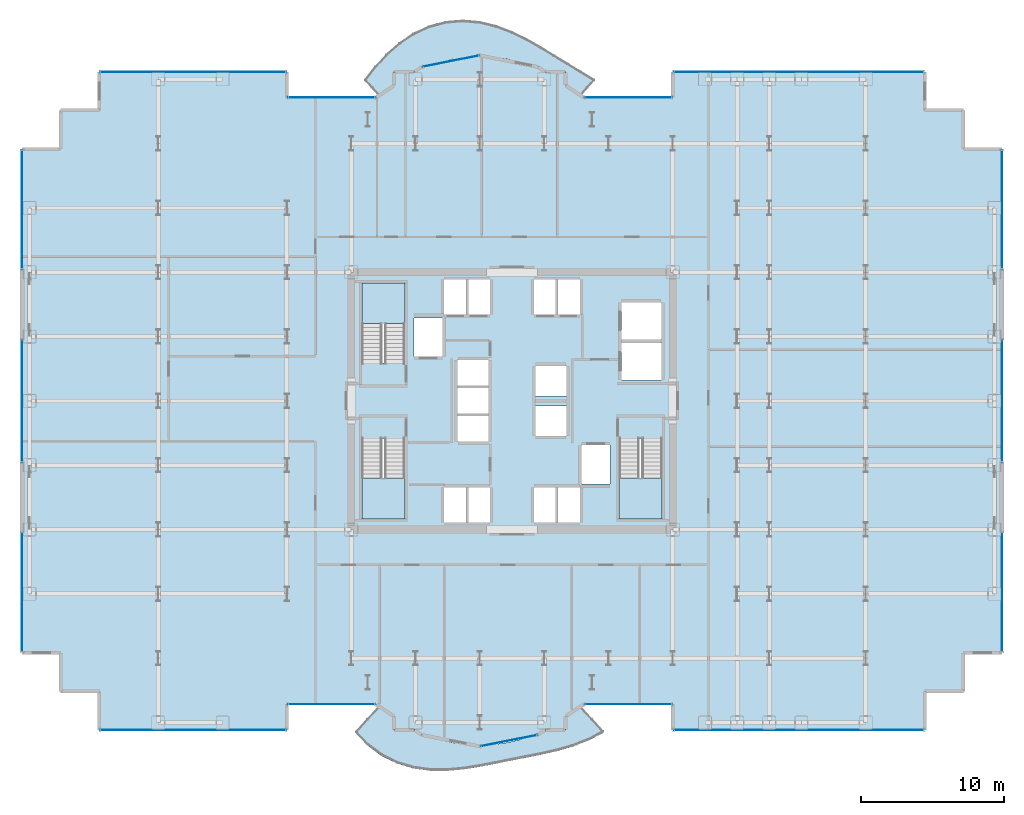
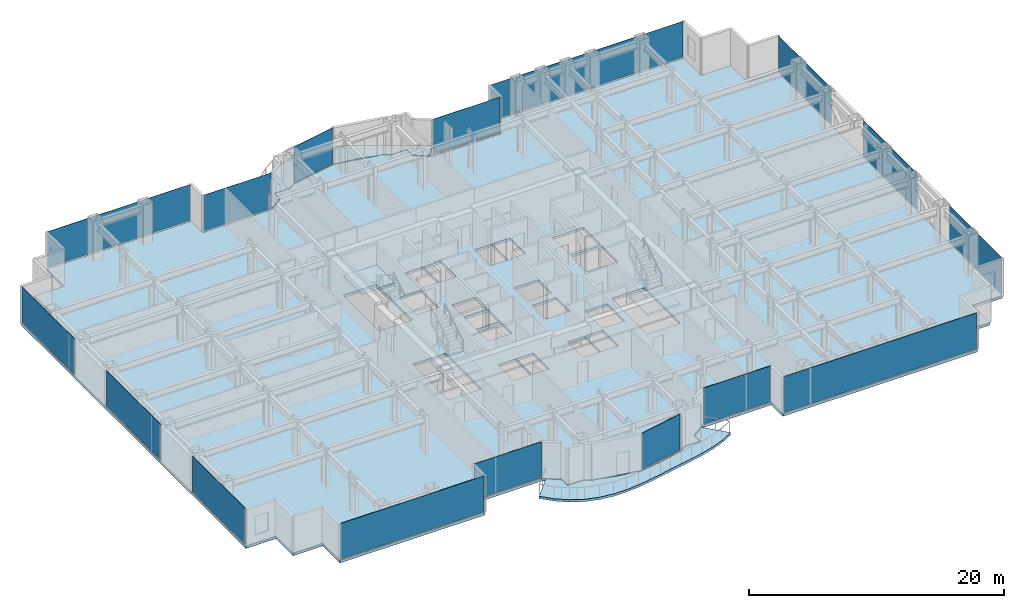
# One storey, part 20 of 28: 16 plates, 6 slabs, 19 elements without a shape of their own.
"""IFC4 building model written with IfcOpenShell, lengths in metres."""

import ifcopenshell
import ifcopenshell.guid

model = None  # the IFC model being written
_history = None  # IfcOwnerHistory: only IFC2X3 demands one
_inside = {}  # id of a spatial element -> (the spatial element, [elements in it])
_under = {}  # id of a project, library or spatial element -> (it, [spatial elements below it])
_declared = {}  # id of a project -> (the project, [libraries it declares])
_typed = {}  # id of a type object -> (the type object, [elements of that type])
_made_of = {}  # id of a material, layer set ... -> (it, [elements and type objects made of it])


def new_model(schema):
    """Start an empty IFC model of exactly this schema.

    Asked for "IFC4X3", IfcOpenShell would pick the latest addendum, in which some entities
    have other attributes; the version numbers below select the first issue.
    IFC2X3 requires an IfcOwnerHistory on every rooted entity: one is made here for all.
    """
    global model, _history
    if schema == "IFC4X3":
        model = ifcopenshell.file(schema_version=(4, 3, 0, 0))
    else:
        model = ifcopenshell.file(schema=schema)
    _inside.clear()
    _under.clear()
    _declared.clear()
    _typed.clear()
    _made_of.clear()
    _history = None
    if model.schema == "IFC2X3":
        org = make("IfcOrganization", Name="unknown")
        user = make(
            "IfcPersonAndOrganization",
            ThePerson=make("IfcPerson", FamilyName="unknown"),
            TheOrganization=org,
        )
        app = make(
            "IfcApplication",
            ApplicationDeveloper=org,
            Version="unknown",
            ApplicationFullName="unknown",
            ApplicationIdentifier="unknown",
        )
        _history = make(
            "IfcOwnerHistory",
            OwningUser=user,
            OwningApplication=app,
            ChangeAction="ADDED",
            CreationDate=0,
        )
    return model


def make(cls, **values):
    """One entity of the class cls with the attributes given. An attribute that is None is left unset."""
    return model.create_entity(
        cls, **{name: value for name, value in values.items() if value is not None}
    )


def rooted(cls, **values):
    """An entity with a GlobalId (a new one), such as an element, a storey or a relation."""
    return make(cls, GlobalId=ifcopenshell.guid.new(), OwnerHistory=_history, **values)


def si_unit(unit_type, name, prefix=None):
    """IfcSIUnit, for example si_unit("LENGTHUNIT", "METRE", prefix="MILLI")."""
    return make("IfcSIUnit", UnitType=unit_type, Prefix=prefix, Name=name)


def assignment(units):
    """IfcUnitAssignment: the units of a project."""
    return None if units is None else make("IfcUnitAssignment", Units=units)


def point(xyz):
    """IfcCartesianPoint."""
    return None if xyz is None else make("IfcCartesianPoint", Coordinates=xyz)


def direction(xyz):
    """IfcDirection."""
    return None if xyz is None else make("IfcDirection", DirectionRatios=xyz)


def frame(location, z_axis=None, x_axis=None):
    """IfcAxis2Placement3D, a coordinate frame: its origin and axes. An axis left out is left unset."""
    return make(
        "IfcAxis2Placement3D",
        Location=point(location),
        Axis=direction(z_axis),
        RefDirection=direction(x_axis),
    )


def frame_2d(location, x_axis=None):
    """IfcAxis2Placement2D, a coordinate frame in the plane: its origin and x axis."""
    return make(
        "IfcAxis2Placement2D", Location=point(location), RefDirection=direction(x_axis)
    )


def origin():
    """The frame at (0, 0, 0) with its axes left unset."""
    return frame((0.0, 0.0, 0.0))


def origin_2d():
    """The frame at (0, 0) in the plane with its x axis left unset."""
    return frame_2d((0.0, 0.0))


def place(relative_to, where):
    """IfcLocalPlacement: puts the frame where relative to a parent placement (None: the world)."""
    return make(
        "IfcLocalPlacement", PlacementRelTo=relative_to, RelativePlacement=where
    )


def context(
    kind, dimensions, precision=None, world=None, true_north=None, identifier=None
):
    """IfcGeometricRepresentationContext, for example the 3D "Model" context."""
    return make(
        "IfcGeometricRepresentationContext",
        ContextIdentifier=identifier,
        ContextType=kind,
        CoordinateSpaceDimension=dimensions,
        Precision=precision,
        WorldCoordinateSystem=world,
        TrueNorth=true_north,
    )


def subcontext(parent, identifier, kind, view, scale=None):
    """IfcGeometricRepresentationSubContext, for example "Body" below "Model"."""
    return make(
        "IfcGeometricRepresentationSubContext",
        ContextIdentifier=identifier,
        ContextType=kind,
        ParentContext=parent,
        TargetScale=scale,
        TargetView=view,
    )


def project(units=None, contexts=None):
    """IfcProject with its units and contexts."""
    return rooted(
        "IfcProject",
        Name="project",
        RepresentationContexts=contexts,
        UnitsInContext=assignment(units),
    )


def spatial(cls, under=None, at=None, **own):
    """A site, building, storey or space (cls), placed at a placement, below another one or the project."""
    s = rooted(cls, ObjectPlacement=at, **own)
    if under is not None:
        _under.setdefault(under.id(), (under, []))[1].append(s)
    return s


def polyline(points):
    """IfcPolyline through the points."""
    return make("IfcPolyline", Points=[point(p) for p in points])


def profile(cls, at=None, kind="AREA", **sizes):
    """A parametric profile (cls). Its sizes go by their IFC names, for example OverallWidth=200.0."""
    return make(cls, ProfileType=kind, Position=at, **sizes)


def rectangle(**sizes):
    """IfcRectangleProfileDef."""
    return profile("IfcRectangleProfileDef", **sizes)


def outline(outer, holes=None, kind="AREA"):
    """IfcArbitraryClosedProfileDef: a profile drawn as a closed curve; with holes, ...WithVoids."""
    if holes is None:
        return make("IfcArbitraryClosedProfileDef", ProfileType=kind, OuterCurve=outer)
    return make(
        "IfcArbitraryProfileDefWithVoids",
        ProfileType=kind,
        OuterCurve=outer,
        InnerCurves=holes,
    )


def extrude(swept, where, along, depth):
    """IfcExtrudedAreaSolid: the profile swept, set in the frame where, extruded along a direction by depth."""
    return make(
        "IfcExtrudedAreaSolid",
        SweptArea=swept,
        Position=where,
        ExtrudedDirection=direction(along),
        Depth=depth,
    )


def shape(context_of_items, identifier, shape_type, items):
    """IfcShapeRepresentation: the items that make up one representation, for example the "Body"."""
    return make(
        "IfcShapeRepresentation",
        ContextOfItems=context_of_items,
        RepresentationIdentifier=identifier,
        RepresentationType=shape_type,
        Items=items,
    )


def source(mapping_origin, context_of_items, identifier, shape_type, items):
    """IfcRepresentationMap: a shape defined once, which mapped items show again and again."""
    return make(
        "IfcRepresentationMap",
        MappingOrigin=mapping_origin,
        MappedRepresentation=shape(context_of_items, identifier, shape_type, items),
    )


def transform(
    local_origin,
    x_axis=None,
    y_axis=None,
    z_axis=None,
    scale=None,
    scale2=None,
    scale3=None,
    uniform=True,
):
    """IfcCartesianTransformationOperator3D, or its non-uniform kind. x_axis, y_axis, z_axis: its Axis1, 2, 3."""
    if uniform:
        return make(
            "IfcCartesianTransformationOperator3D",
            Axis1=direction(x_axis),
            Axis2=direction(y_axis),
            LocalOrigin=point(local_origin),
            Scale=scale,
            Axis3=direction(z_axis),
        )
    return make(
        "IfcCartesianTransformationOperator3DnonUniform",
        Axis1=direction(x_axis),
        Axis2=direction(y_axis),
        LocalOrigin=point(local_origin),
        Scale=scale,
        Axis3=direction(z_axis),
        Scale2=scale2,
        Scale3=scale3,
    )


def mapped(mapping_source, mapping_target):
    """IfcMappedItem: shows the shape of a source again, moved by a transform."""
    return make(
        "IfcMappedItem", MappingSource=mapping_source, MappingTarget=mapping_target
    )


def material(Name=None, Category=None):
    """IfcMaterial."""
    return make("IfcMaterial", Name=Name, Category=Category)


def layer(
    of_material, thickness, ventilated=None, Name=None, Category=None, Priority=None
):
    """IfcMaterialLayer: one layer of a wall or slab, of a material (None: an air gap)."""
    return make(
        "IfcMaterialLayer",
        Material=of_material,
        LayerThickness=thickness,
        IsVentilated=ventilated,
        Name=Name,
        Category=Category,
        Priority=Priority,
    )


def layer_set(layers, Name=None):
    """IfcMaterialLayerSet."""
    return make("IfcMaterialLayerSet", MaterialLayers=layers, LayerSetName=Name)


def made_of(thing, what):
    """Note that an element or type object is made of a material, layer set ...; save() writes the relation."""
    if what is not None:
        _made_of.setdefault(what.id(), (what, []))[1].append(thing)
    return thing


def type_object(cls, material=None, **own):
    """A type object (cls), such as IfcWallType, which elements share."""
    return made_of(rooted(cls, **own), material)


def element(
    cls,
    number,
    at=None,
    inside=None,
    cuts=None,
    type_object=None,
    material=None,
    context=None,
    identifier="Body",
    shape_type=None,
    held_by="IfcProductDefinitionShape",
    body=None,
    shapes=None,
    **own,
):
    """One element of the class cls, such as IfcWall. Its Tag is "e" and its number.

    at: its placement. inside: the storey or other place that contains it. cuts: it is an
    opening in that element (IfcRelVoidsElement). A single representation is given by context,
    identifier, shape_type and body (its items); several are given by shapes. held_by: the class
    of the entity that holds the representations. save() writes the other relations.
    """
    e = rooted(cls, Tag="e%d" % number, ObjectPlacement=at, **own)
    if body is not None:
        shapes = [shape(context, identifier, shape_type, body)]
    if shapes is not None:
        e.Representation = make(held_by, Representations=shapes)
    if inside is not None:
        _inside.setdefault(inside.id(), (inside, []))[1].append(e)
    if cuts is not None:
        rooted(
            "IfcRelVoidsElement", RelatingBuildingElement=cuts, RelatedOpeningElement=e
        )
    if type_object is not None:
        _typed.setdefault(type_object.id(), (type_object, []))[1].append(e)
    return made_of(e, material)


def aggregate(whole, parts):
    """IfcRelAggregates: a whole, such as a stair, and the parts it consists of."""
    return rooted("IfcRelAggregates", RelatingObject=whole, RelatedObjects=parts)


def save(model, path):
    """Write the relations noted so far, then the file.

    IfcRelAggregates (storeys below a building ...), IfcRelContainedInSpatialStructure (elements
    in a storey), IfcRelDefinesByType, IfcRelAssociatesMaterial and IfcRelDeclares: one each for
    every whole, place, type object, material and project.
    """
    for whole, parts in _under.values():
        aggregate(whole, parts)
    for where, things in _inside.values():
        rooted(
            "IfcRelContainedInSpatialStructure",
            RelatedElements=things,
            RelatingStructure=where,
        )
    for kind, things in _typed.values():
        rooted("IfcRelDefinesByType", RelatedObjects=things, RelatingType=kind)
    for what, things in _made_of.values():
        rooted("IfcRelAssociatesMaterial", RelatedObjects=things, RelatingMaterial=what)
    for by, libraries in _declared.values():
        rooted("IfcRelDeclares", RelatingContext=by, RelatedDefinitions=libraries)
    model.write(path)


model = new_model("IFC4")

# Units and contexts
model_context = context("Model", 3, precision=1e-05, world=origin(), true_north=direction((0.0, 1.0)))
body_context = subcontext(model_context, "Body", "Model", "MODEL_VIEW")
ifc_project = project(units=[si_unit("LENGTHUNIT", "METRE"), si_unit("AREAUNIT", "SQUARE_METRE"), si_unit("VOLUMEUNIT", "CUBIC_METRE"), si_unit("PLANEANGLEUNIT", "RADIAN"), si_unit("MASSUNIT", "GRAM", prefix="KILO")], contexts=[model_context])

# Site, building, storey
site_placement = place(None, origin())
site = spatial("IfcSite", under=ifc_project, at=site_placement, CompositionType="ELEMENT")
building_placement = place(site_placement, origin())
building = spatial("IfcBuilding", under=site, at=building_placement, Name="Nefas-Gora Pilgrimage Tower", CompositionType="ELEMENT")
storey_placement = place(building_placement, frame((0.0, 0.0, 102.199951171875)))
storey = spatial("IfcBuildingStorey", under=building, at=storey_placement, Name="L24", CompositionType="ELEMENT", Elevation=102.199951171875)

# Slabs
ifc_material_1 = material(Name="Concrete C40/50", Category="concrete")
ifc_layer_1 = layer(ifc_material_1, 0.22509765625)
ifc_layer_set_1 = layer_set([ifc_layer_1], Name="Concrete C40/50")
slab_type_1 = type_object("IfcSlabType", Name="SLB-BAL-P1", PredefinedType="FLOOR", material=ifc_layer_set_1)
slab_1_placement = place(storey_placement, frame((0.0, 0.0, -0.224853515625)))
element("IfcSlab", 1, at=slab_1_placement, inside=storey, type_object=slab_type_1, Name="L24 Sinusoidal Lobe Balcony Slab S (Phase 1)", PredefinedType="FLOOR", context=body_context, shape_type="SweptSolid", body=[
    extrude(outline(polyline([(4.78759765625, -21.385986328125), (4.724609375, -21.427978515625), (4.038330078125, -21.9912109375), (3.760009765625, -22.179931640625), (3.760009765625, -23.02001953125), (3.760009765625, -23.02099609375), (3.759765625, -23.02197265625), (3.759521484375, -23.02294921875), (3.75927734375, -23.023681640625), (3.7587890625, -23.024658203125), (3.75830078125, -23.025634765625), (3.7578125, -23.0263671875), (3.757080078125, -23.027099609375), (3.75634765625, -23.027587890625), (3.755615234375, -23.0283203125), (3.754638671875, -23.02880859375), (3.75390625, -23.029296875), (3.7529296875, -23.029541015625), (3.751953125, -23.02978515625), (3.7509765625, -23.030029296875), (3.75, -23.030029296875), (2.3271484375, -23.030029296875), (1.81298828125, -23.37353515625), (1.81201171875, -23.3740234375), (1.811279296875, -23.37451171875), (1.810302734375, -23.375), (1.809326171875, -23.375), (1.13037109375, -23.51025390625), (0.602783203125, -23.685302734375), (-0.334716796875, -23.904052734375), (-1.288330078125, -24.035888671875), (-1.580078125, -24.04931640625), (-2.248046875, -24.18212890625), (-2.2490234375, -24.182373046875), (-2.25, -24.182373046875), (-2.2509765625, -24.182373046875), (-2.251953125, -24.18212890625), (-2.919921875, -24.04931640625), (-3.211669921875, -24.035888671875), (-4.165283203125, -23.904052734375), (-5.102783203125, -23.685302734375), (-5.63037109375, -23.51025390625), (-6.309326171875, -23.375), (-6.310302734375, -23.375), (-6.311279296875, -23.37451171875), (-6.31201171875, -23.3740234375), (-6.31298828125, -23.37353515625), (-6.8271484375, -23.030029296875), (-8.25, -23.030029296875), (-8.2509765625, -23.030029296875), (-8.251953125, -23.02978515625), (-8.2529296875, -23.029541015625), (-8.25390625, -23.029296875), (-8.254638671875, -23.02880859375), (-8.255615234375, -23.0283203125), (-8.25634765625, -23.027587890625), (-8.257080078125, -23.027099609375), (-8.2578125, -23.0263671875), (-8.25830078125, -23.025634765625), (-8.2587890625, -23.024658203125), (-8.25927734375, -23.023681640625), (-8.259521484375, -23.02294921875), (-8.259765625, -23.02197265625), (-8.260009765625, -23.02099609375), (-8.260009765625, -23.02001953125), (-8.260009765625, -22.179931640625), (-8.538330078125, -21.9912109375), (-9.224609375, -21.427978515625), (-9.28759765625, -21.385986328125), (-10.9453125, -23.22705078125), (-10.115234375, -24.102783203125), (-9.14697265625, -24.82470703125), (-8.06640625, -25.364501953125), (-6.91064453125, -25.711181640625), (-5.72021484375, -25.87451171875), (-4.531982421875, -25.882080078125), (-3.371337890625, -25.7744140625), (-2.25, -25.595947265625), (-1.164306640625, -25.38671875), (-0.099365234375, -25.17333984375), (0.963623046875, -24.964599609375), (2.04150390625, -24.749755859375), (3.14111328125, -24.502197265625), (4.254638671875, -24.184814453125), (5.35888671875, -23.759521484375), (6.416748046875, -23.1953125), (4.78759765625, -21.385986328125)])), origin(), (0.0, 0.0, 1.0), 0.224853515625),
])
ifc_layer_2 = layer(ifc_material_1, 0.22998046875)
ifc_layer_set_2 = layer_set([ifc_layer_2], Name="Concrete C40/50")
slab_type_2 = type_object("IfcSlabType", Name="SLB-BAL-P5", PredefinedType="FLOOR", material=ifc_layer_set_2)
slab_2_placement = place(storey_placement, frame((0.0, 0.0, -0.22998046875)))
element("IfcSlab", 2, at=slab_2_placement, inside=storey, type_object=slab_type_2, Name="L24 Sinusoidal Lobe Balcony Slab N (Phase 5)", PredefinedType="FLOOR", context=body_context, shape_type="SweptSolid", body=[
    extrude(outline(polyline([(-9.28759765625, 21.385986328125), (-9.224609375, 21.427978515625), (-8.538330078125, 21.9912109375), (-8.260009765625, 22.179931640625), (-8.260009765625, 23.02001953125), (-8.260009765625, 23.02099609375), (-8.259765625, 23.02197265625), (-8.259521484375, 23.02294921875), (-8.25927734375, 23.023681640625), (-8.2587890625, 23.024658203125), (-8.25830078125, 23.025634765625), (-8.2578125, 23.0263671875), (-8.257080078125, 23.027099609375), (-8.25634765625, 23.027587890625), (-8.255615234375, 23.0283203125), (-8.254638671875, 23.02880859375), (-8.25390625, 23.029296875), (-8.2529296875, 23.029541015625), (-8.251953125, 23.02978515625), (-8.2509765625, 23.030029296875), (-8.25, 23.030029296875), (-6.8271484375, 23.030029296875), (-6.31298828125, 23.37353515625), (-6.31201171875, 23.3740234375), (-6.311279296875, 23.37451171875), (-6.310302734375, 23.375), (-6.309326171875, 23.375), (-5.63037109375, 23.51025390625), (-5.102783203125, 23.685302734375), (-4.165283203125, 23.904052734375), (-3.211669921875, 24.035888671875), (-2.919921875, 24.04931640625), (-2.251953125, 24.18212890625), (-2.2509765625, 24.182373046875), (-2.25, 24.182373046875), (-2.2490234375, 24.182373046875), (-2.248046875, 24.18212890625), (-1.580078125, 24.04931640625), (-1.288330078125, 24.035888671875), (-0.334716796875, 23.904052734375), (0.602783203125, 23.685302734375), (1.13037109375, 23.51025390625), (1.809326171875, 23.375), (1.810302734375, 23.375), (1.811279296875, 23.37451171875), (1.81201171875, 23.3740234375), (1.81298828125, 23.37353515625), (2.3271484375, 23.030029296875), (3.75, 23.030029296875), (3.7509765625, 23.030029296875), (3.751953125, 23.02978515625), (3.7529296875, 23.029541015625), (3.75390625, 23.029296875), (3.754638671875, 23.02880859375), (3.755615234375, 23.0283203125), (3.75634765625, 23.027587890625), (3.757080078125, 23.027099609375), (3.7578125, 23.0263671875), (3.75830078125, 23.025634765625), (3.7587890625, 23.024658203125), (3.75927734375, 23.023681640625), (3.759521484375, 23.02294921875), (3.759765625, 23.02197265625), (3.760009765625, 23.02099609375), (3.760009765625, 23.02001953125), (3.760009765625, 22.179931640625), (4.038330078125, 21.9912109375), (4.724609375, 21.427978515625), (4.78759765625, 21.385986328125), (5.782958984375, 22.491455078125), (4.843017578125, 23.068603515625), (3.91552734375, 23.631103515625), (2.99072265625, 24.197265625), (2.048583984375, 24.768310546875), (1.06591796875, 25.326904296875), (0.02392578125, 25.83935546875), (-1.083984375, 26.2607421875), (-2.25, 26.5439453125), (-3.45166015625, 26.6484375), (-4.6552734375, 26.548095703125), (-5.822509765625, 26.23681640625), (-6.917724609375, 25.729736328125), (-7.916015625, 25.059814453125), (-8.807861328125, 24.271240234375), (-9.599365234375, 23.412109375), (-10.3115234375, 22.523193359375), (-9.28759765625, 21.385986328125)])), origin(), (0.0, 0.0, 1.0), 0.22998046875),
])
ifc_layer_3 = layer(ifc_material_1, 0.25)
ifc_layer_set_3 = layer_set([ifc_layer_3], Name="Concrete C40/50")
slab_type_3 = type_object("IfcSlabType", Name="SLB-TWR-250", PredefinedType="FLOOR", material=ifc_layer_set_3)
slab_3_placement = place(storey_placement, frame((0.0, 0.0, -0.25)))
element("IfcSlab", 3, at=slab_3_placement, inside=storey, type_object=slab_type_3, Name="L24 Structural Floor Slab", PredefinedType="FLOOR", context=body_context, shape_type="SweptSolid", body=[
    extrude(outline(polyline([(5.01806640625, -21.219970703125), (11.25, -21.219970703125), (11.25, -23.02001953125), (28.8701171875, -23.02001953125), (28.8701171875, -20.320068359375), (31.570068359375, -20.320068359375), (31.570068359375, -17.6201171875), (34.27001953125, -17.6201171875), (34.27001953125, 17.6201171875), (31.570068359375, 17.6201171875), (31.570068359375, 20.320068359375), (28.8701171875, 20.320068359375), (28.8701171875, 23.02001953125), (11.25, 23.02001953125), (11.25, 21.219970703125), (5.01806640625, 21.219970703125), (3.75, 22.0673828125), (3.75, 23.02001953125), (2.32421875, 23.02001953125), (1.807373046875, 23.365234375), (-2.25, 24.17236328125), (-6.307373046875, 23.365234375), (-6.82421875, 23.02001953125), (-8.25, 23.02001953125), (-8.25, 22.0673828125), (-9.51806640625, 21.219970703125), (-15.75, 21.219970703125), (-15.75, 23.02001953125), (-28.8701171875, 23.02001953125), (-28.8701171875, 20.320068359375), (-31.570068359375, 20.320068359375), (-31.570068359375, 17.6201171875), (-34.27001953125, 17.6201171875), (-34.27001953125, -17.6201171875), (-31.570068359375, -17.6201171875), (-31.570068359375, -20.320068359375), (-28.8701171875, -20.320068359375), (-28.8701171875, -23.02001953125), (-15.75, -23.02001953125), (-15.75, -21.219970703125), (-9.51806640625, -21.219970703125), (-8.25, -22.0673828125), (-8.25, -23.02001953125), (-6.82421875, -23.02001953125), (-6.307373046875, -23.365234375), (-2.25, -24.17236328125), (1.807373046875, -23.365234375), (2.32421875, -23.02001953125), (3.75, -23.02001953125), (3.75, -22.0673828125), (5.01806640625, -21.219970703125)]), holes=[polyline([(-10.5, 2.639892578125), (-10.5, 8.25), (-7.5, 8.25), (-7.5, 2.639892578125), (-10.5, 2.639892578125)]), polyline([(10.5, -2.639892578125), (10.5, -8.25), (7.5, -8.25), (7.5, -2.639892578125), (10.5, -2.639892578125)]), polyline([(-7.5, -2.639892578125), (-7.5, -8.25), (-10.5, -8.25), (-10.5, -2.639892578125), (-7.5, -2.639892578125)]), polyline([(-6.85009765625, 5.800048828125), (-4.85009765625, 5.800048828125), (-4.85009765625, 3.10009765625), (-6.85009765625, 3.10009765625), (-6.85009765625, 5.800048828125)]), polyline([(4.85009765625, -3.10009765625), (6.85009765625, -3.10009765625), (6.85009765625, -5.800048828125), (4.85009765625, -5.800048828125), (4.85009765625, -3.10009765625)]), polyline([(7.64990234375, 4.050048828125), (10.449951171875, 4.050048828125), (10.449951171875, 1.449951171875), (7.64990234375, 1.449951171875), (7.64990234375, 4.050048828125)]), polyline([(7.64990234375, 6.89990234375), (10.449951171875, 6.89990234375), (10.449951171875, 4.300048828125), (7.64990234375, 4.300048828125), (7.64990234375, 6.89990234375)]), polyline([(-4.75, 8.5), (-3.14990234375, 8.5), (-3.14990234375, 6.050048828125), (-4.75, 6.050048828125), (-4.75, 8.5)]), polyline([(-3.10009765625, 8.5), (-1.550048828125, 8.5), (-1.550048828125, 6.050048828125), (-3.10009765625, 6.050048828125), (-3.10009765625, 8.5)]), polyline([(1.550048828125, 8.5), (3.10009765625, 8.5), (3.10009765625, 6.050048828125), (1.550048828125, 6.050048828125), (1.550048828125, 8.5)]), polyline([(3.14990234375, 8.5), (4.75, 8.5), (4.75, 6.050048828125), (3.14990234375, 6.050048828125), (3.14990234375, 8.5)]), polyline([(-4.75, -6.050048828125), (-3.14990234375, -6.050048828125), (-3.14990234375, -8.5), (-4.75, -8.5), (-4.75, -6.050048828125)]), polyline([(-3.10009765625, -6.050048828125), (-1.550048828125, -6.050048828125), (-1.550048828125, -8.5), (-3.10009765625, -8.5), (-3.10009765625, -6.050048828125)]), polyline([(1.550048828125, -6.050048828125), (3.10009765625, -6.050048828125), (3.10009765625, -8.5), (1.550048828125, -8.5), (1.550048828125, -6.050048828125)]), polyline([(3.14990234375, -6.050048828125), (4.75, -6.050048828125), (4.75, -8.5), (3.14990234375, -8.5), (3.14990234375, -6.050048828125)]), polyline([(-3.800048828125, -1.050048828125), (-1.64990234375, -1.050048828125), (-1.64990234375, -2.85009765625), (-3.800048828125, -2.85009765625), (-3.800048828125, -1.050048828125)]), polyline([(-3.800048828125, 0.89990234375), (-1.64990234375, 0.89990234375), (-1.64990234375, -0.89990234375), (-3.800048828125, -0.89990234375), (-3.800048828125, 0.89990234375)]), polyline([(-3.800048828125, 2.85009765625), (-1.64990234375, 2.85009765625), (-1.64990234375, 1.050048828125), (-3.800048828125, 1.050048828125), (-3.800048828125, 2.85009765625)]), polyline([(1.64990234375, -0.35009765625), (3.800048828125, -0.35009765625), (3.800048828125, -2.449951171875), (1.64990234375, -2.449951171875), (1.64990234375, -0.35009765625)]), polyline([(1.64990234375, 2.449951171875), (3.800048828125, 2.449951171875), (3.800048828125, 0.35009765625), (1.64990234375, 0.35009765625), (1.64990234375, 2.449951171875)])]), origin(), (0.0, 0.0, 1.0), 0.25),
])

# Stair, slab
ifc_material_2 = material(Name="Concrete C45/55", Category="concrete")
stair_type = type_object("IfcStairType", Name="STR-1400-R1727", PredefinedType="HALF_TURN_STAIR", material=ifc_material_2)
stair_1_placement = place(storey_placement, origin())
stair_1 = element("IfcStair", 4, at=stair_1_placement, inside=storey, type_object=stair_type, Name="L24 Pressurised Tower Exit Stair ST-01", PredefinedType="HALF_TURN_STAIR")
ifc_layer_4 = layer(ifc_material_1, 0.199951171875)
ifc_layer_set_4 = layer_set([ifc_layer_4], Name="Concrete C40/50")
slab_type_4 = type_object("IfcSlabType", Name="STR-LAND-200", PredefinedType="LANDING", material=ifc_layer_set_4)
slab_4_placement = place(storey_placement, frame((0.0, 0.0, 1.699951171875)))
slab_4 = element("IfcSlab", 5, at=slab_4_placement, type_object=slab_type_4, Name="ST-01 landing 1", PredefinedType="LANDING", context=body_context, shape_type="SweptSolid", body=[
    extrude(outline(polyline([(-7.5, 5.39990234375), (-7.5, 8.25), (-10.5, 8.25), (-10.5, 5.39990234375), (-7.5, 5.39990234375)])), origin(), (0.0, 0.0, 1.0), 0.2001953125),
])
aggregate(stair_1, [slab_4])

stair_2_placement = place(storey_placement, origin())
stair_2 = element("IfcStair", 6, at=stair_2_placement, inside=storey, type_object=stair_type, Name="L24 Pressurised Tower Exit Stair ST-02", PredefinedType="HALF_TURN_STAIR")
slab_5_placement = place(storey_placement, frame((0.0, 0.0, 1.699951171875)))
slab_5 = element("IfcSlab", 7, at=slab_5_placement, type_object=slab_type_4, Name="ST-02 landing 1", PredefinedType="LANDING", context=body_context, shape_type="SweptSolid", body=[
    extrude(outline(polyline([(7.5, -5.39990234375), (7.5, -8.25), (10.5, -8.25), (10.5, -5.39990234375), (7.5, -5.39990234375)])), origin(), (0.0, 0.0, 1.0), 0.2001953125),
])
aggregate(stair_2, [slab_5])

stair_3_placement = place(storey_placement, origin())
stair_3 = element("IfcStair", 8, at=stair_3_placement, inside=storey, type_object=stair_type, Name="L24 Pressurised Tower Exit Stair ST-03", PredefinedType="HALF_TURN_STAIR")
slab_6_placement = place(storey_placement, frame((0.0, 0.0, 1.699951171875)))
slab_6 = element("IfcSlab", 9, at=slab_6_placement, type_object=slab_type_4, Name="ST-03 landing 1", PredefinedType="LANDING", context=body_context, shape_type="SweptSolid", body=[
    extrude(outline(polyline([(-10.5, -5.39990234375), (-10.5, -8.25), (-7.5, -8.25), (-7.5, -5.39990234375), (-10.5, -5.39990234375)])), origin(), (0.0, 0.0, 1.0), 0.2001953125),
])
aggregate(stair_3, [slab_6])

# Curtain wall, plate
ifc_material_3 = material(Name="Dark ceramic-fritted solar-control aluminium-glass curtain wall", Category="aluminium")
ifc_layer_5 = layer(ifc_material_3, 0.219970703125)
ifc_layer_set_5 = layer_set([ifc_layer_5], Name="Dark ceramic-fritted solar-control aluminium-glass curtain wall")
curtain_wall_type_1 = type_object("IfcCurtainWallType", Name="CW-SYS-5", PredefinedType="NOTDEFINED", material=ifc_layer_set_5)
curtain_wall_1_placement = place(storey_placement, origin())
curtain_wall_1 = element("IfcCurtainWall", 10, at=curtain_wall_1_placement, inside=storey, type_object=curtain_wall_type_1, Name="L24 Unitised Curtain Wall CW5", PredefinedType="NOTDEFINED")
ifc_material_4 = material(Name="Dark ceramic-printed low-e insulated glass", Category="glass")
ifc_layer_6 = layer(ifc_material_4, 0.028076171875)
ifc_layer_set_6 = layer_set([ifc_layer_6], Name="Dark ceramic-printed low-e insulated glass")
plate_type_1 = type_object("IfcPlateType", Name="CWP-PNL-5", PredefinedType="CURTAIN_PANEL", material=ifc_layer_set_6)
shared_shape_1 = source(origin(), body_context, "Body", "SweptSolid", [
    extrude(rectangle(XDim=6.052001953125, YDim=0.028076171875, at=origin_2d()), origin(), (0.0, 0.0, 1.0), 3.43994140625),
])
plate_1_placement = place(storey_placement, frame((8.134033203125, -21.219970703125, 0.10009765625), z_axis=(0.0, 0.0, 1.0), x_axis=(1.0, 0.0, 0.0)))
plate_1 = element("IfcPlate", 11, at=plate_1_placement, type_object=plate_type_1, Name="CW5 Ceramic-Fritted Glazing Panel 1", PredefinedType="CURTAIN_PANEL", context=body_context, shape_type="MappedRepresentation", body=[
    mapped(shared_shape_1, transform((0.0, 0.0, 0.0), x_axis=(1.0, 0.0, 0.0), y_axis=(0.0, 1.0, 0.0), z_axis=(0.0, 0.0, 1.0), scale=1.0)),
])
aggregate(curtain_wall_1, [plate_1])

curtain_wall_2_placement = place(storey_placement, origin())
curtain_wall_2 = element("IfcCurtainWall", 12, at=curtain_wall_2_placement, inside=storey, type_object=curtain_wall_type_1, Name="L24 Unitised Curtain Wall CW5", PredefinedType="NOTDEFINED")
plate_2_placement = place(storey_placement, frame((8.134033203125, 21.219970703125, 0.10009765625), z_axis=(0.0, 0.0, 1.0), x_axis=(-1.0, 0.0, 0.0)))
plate_2 = element("IfcPlate", 13, at=plate_2_placement, type_object=plate_type_1, Name="CW5 Ceramic-Fritted Glazing Panel 1", PredefinedType="CURTAIN_PANEL", context=body_context, shape_type="MappedRepresentation", body=[
    mapped(shared_shape_1, transform((0.0, 0.0, 0.0), x_axis=(1.0, 0.0, 0.0), y_axis=(0.0, 1.0, 0.0), z_axis=(0.0, 0.0, 1.0), scale=1.0)),
])
aggregate(curtain_wall_2, [plate_2])

curtain_wall_3_placement = place(storey_placement, origin())
curtain_wall_3 = element("IfcCurtainWall", 14, at=curtain_wall_3_placement, inside=storey, type_object=curtain_wall_type_1, Name="L24 Unitised Curtain Wall CW5", PredefinedType="NOTDEFINED")
plate_3_placement = place(storey_placement, frame((-12.634033203125, 21.219970703125, 0.10009765625), z_axis=(0.0, 0.0, 1.0), x_axis=(-1.0, 0.0, 0.0)))
plate_3 = element("IfcPlate", 15, at=plate_3_placement, type_object=plate_type_1, Name="CW5 Ceramic-Fritted Glazing Panel 1", PredefinedType="CURTAIN_PANEL", context=body_context, shape_type="MappedRepresentation", body=[
    mapped(shared_shape_1, transform((0.0, 0.0, 0.0), x_axis=(1.0, 0.0, 0.0), y_axis=(0.0, 1.0, 0.0), z_axis=(0.0, 0.0, 1.0), scale=1.0)),
])
aggregate(curtain_wall_3, [plate_3])

curtain_wall_4_placement = place(storey_placement, origin())
curtain_wall_4 = element("IfcCurtainWall", 16, at=curtain_wall_4_placement, inside=storey, type_object=curtain_wall_type_1, Name="L24 Unitised Curtain Wall CW5", PredefinedType="NOTDEFINED")
plate_4_placement = place(storey_placement, frame((-12.634033203125, -21.219970703125, 0.10009765625), z_axis=(0.0, 0.0, 1.0), x_axis=(1.0, 0.0, 0.0)))
plate_4 = element("IfcPlate", 17, at=plate_4_placement, type_object=plate_type_1, Name="CW5 Ceramic-Fritted Glazing Panel 1", PredefinedType="CURTAIN_PANEL", context=body_context, shape_type="MappedRepresentation", body=[
    mapped(shared_shape_1, transform((0.0, 0.0, 0.0), x_axis=(1.0, 0.0, 0.0), y_axis=(0.0, 1.0, 0.0), z_axis=(0.0, 0.0, 1.0), scale=1.0)),
])
aggregate(curtain_wall_4, [plate_4])

ifc_layer_7 = layer(ifc_material_3, 0.219970703125)
ifc_layer_set_7 = layer_set([ifc_layer_7], Name="Dark ceramic-fritted solar-control aluminium-glass curtain wall")
curtain_wall_type_2 = type_object("IfcCurtainWallType", Name="CW-SYS-2", PredefinedType="NOTDEFINED", material=ifc_layer_set_7)
curtain_wall_5_placement = place(storey_placement, origin())
curtain_wall_5 = element("IfcCurtainWall", 18, at=curtain_wall_5_placement, inside=storey, type_object=curtain_wall_type_2, Name="L24 Unitised Curtain Wall CW2", PredefinedType="NOTDEFINED")
ifc_layer_8 = layer(ifc_material_4, 0.031982421875)
ifc_layer_set_8 = layer_set([ifc_layer_8], Name="Dark ceramic-printed low-e insulated glass")
plate_type_2 = type_object("IfcPlateType", Name="CWP-PNL-2", PredefinedType="CURTAIN_PANEL", material=ifc_layer_set_8)
shared_shape_2 = source(origin(), body_context, "Body", "SweptSolid", [
    extrude(rectangle(XDim=17.43994140625, YDim=0.031982421875, at=origin_2d()), origin(), (0.0, 0.0, 1.0), 3.43994140625),
])
plate_5_placement = place(storey_placement, frame((20.06005859375, -23.02001953125, 0.10009765625), z_axis=(0.0, 0.0, 1.0), x_axis=(1.0, 0.0, 0.0)))
plate_5 = element("IfcPlate", 19, at=plate_5_placement, type_object=plate_type_2, Name="CW2 Ceramic-Fritted Glazing Panel 1", PredefinedType="CURTAIN_PANEL", context=body_context, shape_type="MappedRepresentation", body=[
    mapped(shared_shape_2, transform((0.0, 0.0, 0.0), x_axis=(1.0, 0.0, 0.0), y_axis=(0.0, 1.0, 0.0), z_axis=(0.0, 0.0, 1.0), scale=1.0)),
])
aggregate(curtain_wall_5, [plate_5])

curtain_wall_6_placement = place(storey_placement, origin())
curtain_wall_6 = element("IfcCurtainWall", 20, at=curtain_wall_6_placement, inside=storey, type_object=curtain_wall_type_2, Name="L24 Unitised Curtain Wall CW2", PredefinedType="NOTDEFINED")
plate_6_placement = place(storey_placement, frame((20.06005859375, 23.02001953125, 0.10009765625), z_axis=(0.0, 0.0, 1.0), x_axis=(-1.0, 0.0, 0.0)))
plate_6 = element("IfcPlate", 21, at=plate_6_placement, type_object=plate_type_2, Name="CW2 Ceramic-Fritted Glazing Panel 1", PredefinedType="CURTAIN_PANEL", context=body_context, shape_type="MappedRepresentation", body=[
    mapped(shared_shape_2, transform((0.0, 0.0, 0.0), x_axis=(1.0, 0.0, 0.0), y_axis=(0.0, 1.0, 0.0), z_axis=(0.0, 0.0, 1.0), scale=1.0)),
])
aggregate(curtain_wall_6, [plate_6])

curtain_wall_7_placement = place(storey_placement, origin())
curtain_wall_7 = element("IfcCurtainWall", 22, at=curtain_wall_7_placement, inside=storey, type_object=curtain_wall_type_2, Name="L24 Unitised Curtain Wall CW2", PredefinedType="NOTDEFINED")
shared_shape_3 = source(origin(), body_context, "Body", "SweptSolid", [
    extrude(rectangle(XDim=8.2900390625, YDim=0.031982421875, at=origin_2d()), origin(), (0.0, 0.0, 1.0), 3.43994140625),
])
plate_7_placement = place(storey_placement, frame((34.27001953125, -13.385009765625, 0.10009765625), z_axis=(0.0, 0.0, 1.0), x_axis=(0.0, 1.0, 0.0)))
plate_7 = element("IfcPlate", 23, at=plate_7_placement, type_object=plate_type_2, Name="CW2 Ceramic-Fritted Glazing Panel 1", PredefinedType="CURTAIN_PANEL", context=body_context, shape_type="MappedRepresentation", body=[
    mapped(shared_shape_3, transform((0.0, 0.0, 0.0), x_axis=(1.0, 0.0, 0.0), y_axis=(0.0, 1.0, 0.0), z_axis=(0.0, 0.0, 1.0), scale=1.0)),
])
aggregate(curtain_wall_7, [plate_7])

curtain_wall_8_placement = place(storey_placement, origin())
curtain_wall_8 = element("IfcCurtainWall", 24, at=curtain_wall_8_placement, inside=storey, type_object=curtain_wall_type_2, Name="L24 Unitised Curtain Wall CW2", PredefinedType="NOTDEFINED")
plate_8_placement = place(storey_placement, frame((34.27001953125, 13.385009765625, 0.10009765625), z_axis=(0.0, 0.0, 1.0), x_axis=(0.0, 1.0, 0.0)))
plate_8 = element("IfcPlate", 25, at=plate_8_placement, type_object=plate_type_2, Name="CW2 Ceramic-Fritted Glazing Panel 1", PredefinedType="CURTAIN_PANEL", context=body_context, shape_type="MappedRepresentation", body=[
    mapped(shared_shape_3, transform((0.0, 0.0, 0.0), x_axis=(1.0, 0.0, 0.0), y_axis=(0.0, 1.0, 0.0), z_axis=(0.0, 0.0, 1.0), scale=1.0)),
])
aggregate(curtain_wall_8, [plate_8])

curtain_wall_9_placement = place(storey_placement, origin())
curtain_wall_9 = element("IfcCurtainWall", 26, at=curtain_wall_9_placement, inside=storey, type_object=curtain_wall_type_2, Name="L24 Unitised Curtain Wall CW2", PredefinedType="NOTDEFINED")
plate_9_placement = place(storey_placement, frame((-34.27001953125, 13.385009765625, 0.10009765625), z_axis=(0.0, 0.0, 1.0), x_axis=(0.0, -1.0, 0.0)))
plate_9 = element("IfcPlate", 27, at=plate_9_placement, type_object=plate_type_2, Name="CW2 Ceramic-Fritted Glazing Panel 1", PredefinedType="CURTAIN_PANEL", context=body_context, shape_type="MappedRepresentation", body=[
    mapped(shared_shape_3, transform((0.0, 0.0, 0.0), x_axis=(1.0, 0.0, 0.0), y_axis=(0.0, 1.0, 0.0), z_axis=(0.0, 0.0, 1.0), scale=1.0)),
])
aggregate(curtain_wall_9, [plate_9])

curtain_wall_10_placement = place(storey_placement, origin())
curtain_wall_10 = element("IfcCurtainWall", 28, at=curtain_wall_10_placement, inside=storey, type_object=curtain_wall_type_2, Name="L24 Unitised Curtain Wall CW2", PredefinedType="NOTDEFINED")
plate_10_placement = place(storey_placement, frame((-34.27001953125, -13.385009765625, 0.10009765625), z_axis=(0.0, 0.0, 1.0), x_axis=(0.0, -1.0, 0.0)))
plate_10 = element("IfcPlate", 29, at=plate_10_placement, type_object=plate_type_2, Name="CW2 Ceramic-Fritted Glazing Panel 1", PredefinedType="CURTAIN_PANEL", context=body_context, shape_type="MappedRepresentation", body=[
    mapped(shared_shape_3, transform((0.0, 0.0, 0.0), x_axis=(1.0, 0.0, 0.0), y_axis=(0.0, 1.0, 0.0), z_axis=(0.0, 0.0, 1.0), scale=1.0)),
])
aggregate(curtain_wall_10, [plate_10])

curtain_wall_11_placement = place(storey_placement, origin())
curtain_wall_11 = element("IfcCurtainWall", 30, at=curtain_wall_11_placement, inside=storey, type_object=curtain_wall_type_2, Name="L24 Unitised Curtain Wall CW2", PredefinedType="NOTDEFINED")
shared_shape_4 = source(origin(), body_context, "Body", "SweptSolid", [
    extrude(rectangle(XDim=8.52001953125, YDim=0.031982421875, at=origin_2d()), origin(), (0.0, 0.0, 1.0), 3.43994140625),
])
plate_11_placement = place(storey_placement, frame((34.27001953125, 0.0, 0.10009765625), z_axis=(0.0, 0.0, 1.0), x_axis=(0.0, 1.0, 0.0)))
plate_11 = element("IfcPlate", 31, at=plate_11_placement, type_object=plate_type_2, Name="CW2 Ceramic-Fritted Glazing Panel 1", PredefinedType="CURTAIN_PANEL", context=body_context, shape_type="MappedRepresentation", body=[
    mapped(shared_shape_4, transform((0.0, 0.0, 0.0), x_axis=(1.0, 0.0, 0.0), y_axis=(0.0, 1.0, 0.0), z_axis=(0.0, 0.0, 1.0), scale=1.0)),
])
aggregate(curtain_wall_11, [plate_11])

curtain_wall_12_placement = place(storey_placement, origin())
curtain_wall_12 = element("IfcCurtainWall", 32, at=curtain_wall_12_placement, inside=storey, type_object=curtain_wall_type_2, Name="L24 Unitised Curtain Wall CW2", PredefinedType="NOTDEFINED")
plate_12_placement = place(storey_placement, frame((-34.27001953125, 0.0, 0.10009765625), z_axis=(0.0, 0.0, 1.0), x_axis=(0.0, -1.0, 0.0)))
plate_12 = element("IfcPlate", 33, at=plate_12_placement, type_object=plate_type_2, Name="CW2 Ceramic-Fritted Glazing Panel 1", PredefinedType="CURTAIN_PANEL", context=body_context, shape_type="MappedRepresentation", body=[
    mapped(shared_shape_4, transform((0.0, 0.0, 0.0), x_axis=(1.0, 0.0, 0.0), y_axis=(0.0, 1.0, 0.0), z_axis=(0.0, 0.0, 1.0), scale=1.0)),
])
aggregate(curtain_wall_12, [plate_12])

curtain_wall_13_placement = place(storey_placement, origin())
curtain_wall_13 = element("IfcCurtainWall", 34, at=curtain_wall_13_placement, inside=storey, type_object=curtain_wall_type_1, Name="L24 Unitised Curtain Wall CW5", PredefinedType="NOTDEFINED")
shared_shape_5 = source(origin(), body_context, "Body", "SweptSolid", [
    extrude(rectangle(XDim=3.956787109375, YDim=0.028076171875, at=origin_2d()), origin(), (0.0, 0.0, 1.0), 3.43994140625),
])
plate_13_placement = place(storey_placement, frame((-4.278564453125, 23.768798828125, 0.10009765625), z_axis=(0.0, 0.0, 1.0), x_axis=(-0.980782896852, -0.195102304554, 0.0)))
plate_13 = element("IfcPlate", 35, at=plate_13_placement, type_object=plate_type_1, Name="CW5 Ceramic-Fritted Glazing Panel 1", PredefinedType="CURTAIN_PANEL", context=body_context, shape_type="MappedRepresentation", body=[
    mapped(shared_shape_5, transform((0.0, 0.0, 0.0), x_axis=(1.0, 0.0, 0.0), y_axis=(0.0, 1.0, 0.0), z_axis=(0.0, 0.0, 1.0), scale=1.0)),
])
aggregate(curtain_wall_13, [plate_13])

curtain_wall_14_placement = place(storey_placement, origin())
curtain_wall_14 = element("IfcCurtainWall", 36, at=curtain_wall_14_placement, inside=storey, type_object=curtain_wall_type_1, Name="L24 Unitised Curtain Wall CW5", PredefinedType="NOTDEFINED")
plate_14_placement = place(storey_placement, frame((-0.221435546875, -23.768798828125, 0.10009765625), z_axis=(0.0, 0.0, 1.0), x_axis=(0.980782896852, 0.195102304554, 0.0)))
plate_14 = element("IfcPlate", 37, at=plate_14_placement, type_object=plate_type_1, Name="CW5 Ceramic-Fritted Glazing Panel 1", PredefinedType="CURTAIN_PANEL", context=body_context, shape_type="MappedRepresentation", body=[
    mapped(shared_shape_5, transform((0.0, 0.0, 0.0), x_axis=(1.0, 0.0, 0.0), y_axis=(0.0, 1.0, 0.0), z_axis=(0.0, 0.0, 1.0), scale=1.0)),
])
aggregate(curtain_wall_14, [plate_14])

curtain_wall_15_placement = place(storey_placement, origin())
curtain_wall_15 = element("IfcCurtainWall", 38, at=curtain_wall_15_placement, inside=storey, type_object=curtain_wall_type_2, Name="L24 Unitised Curtain Wall CW2", PredefinedType="NOTDEFINED")
shared_shape_6 = source(origin(), body_context, "Body", "SweptSolid", [
    extrude(rectangle(XDim=12.93994140625, YDim=0.031982421875, at=origin_2d()), origin(), (0.0, 0.0, 1.0), 3.43994140625),
])
plate_15_placement = place(storey_placement, frame((-22.31005859375, 23.02001953125, 0.10009765625), z_axis=(0.0, 0.0, 1.0), x_axis=(-1.0, 0.0, 0.0)))
plate_15 = element("IfcPlate", 39, at=plate_15_placement, type_object=plate_type_2, Name="CW2 Ceramic-Fritted Glazing Panel 1", PredefinedType="CURTAIN_PANEL", context=body_context, shape_type="MappedRepresentation", body=[
    mapped(shared_shape_6, transform((0.0, 0.0, 0.0), x_axis=(1.0, 0.0, 0.0), y_axis=(0.0, 1.0, 0.0), z_axis=(0.0, 0.0, 1.0), scale=1.0)),
])
aggregate(curtain_wall_15, [plate_15])

curtain_wall_16_placement = place(storey_placement, origin())
curtain_wall_16 = element("IfcCurtainWall", 40, at=curtain_wall_16_placement, inside=storey, type_object=curtain_wall_type_2, Name="L24 Unitised Curtain Wall CW2", PredefinedType="NOTDEFINED")
plate_16_placement = place(storey_placement, frame((-22.31005859375, -23.02001953125, 0.10009765625), z_axis=(0.0, 0.0, 1.0), x_axis=(1.0, 0.0, 0.0)))
plate_16 = element("IfcPlate", 41, at=plate_16_placement, type_object=plate_type_2, Name="CW2 Ceramic-Fritted Glazing Panel 1", PredefinedType="CURTAIN_PANEL", context=body_context, shape_type="MappedRepresentation", body=[
    mapped(shared_shape_6, transform((0.0, 0.0, 0.0), x_axis=(1.0, 0.0, 0.0), y_axis=(0.0, 1.0, 0.0), z_axis=(0.0, 0.0, 1.0), scale=1.0)),
])
aggregate(curtain_wall_16, [plate_16])

save(model, "model.ifc")
